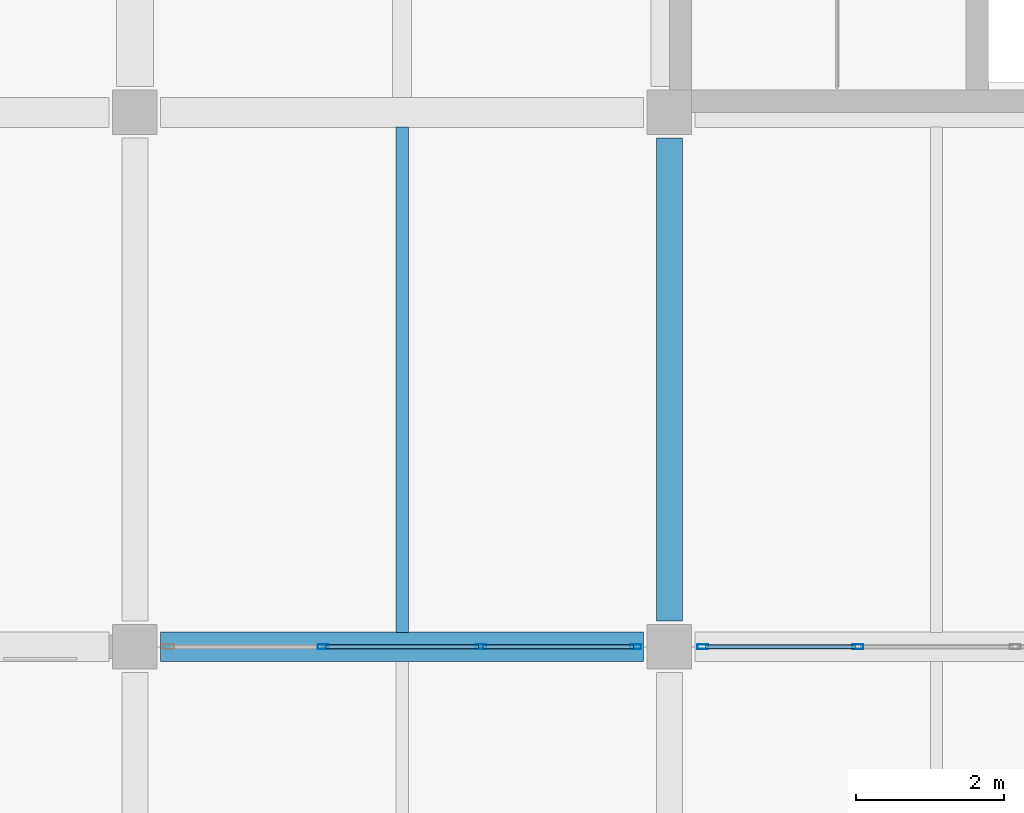
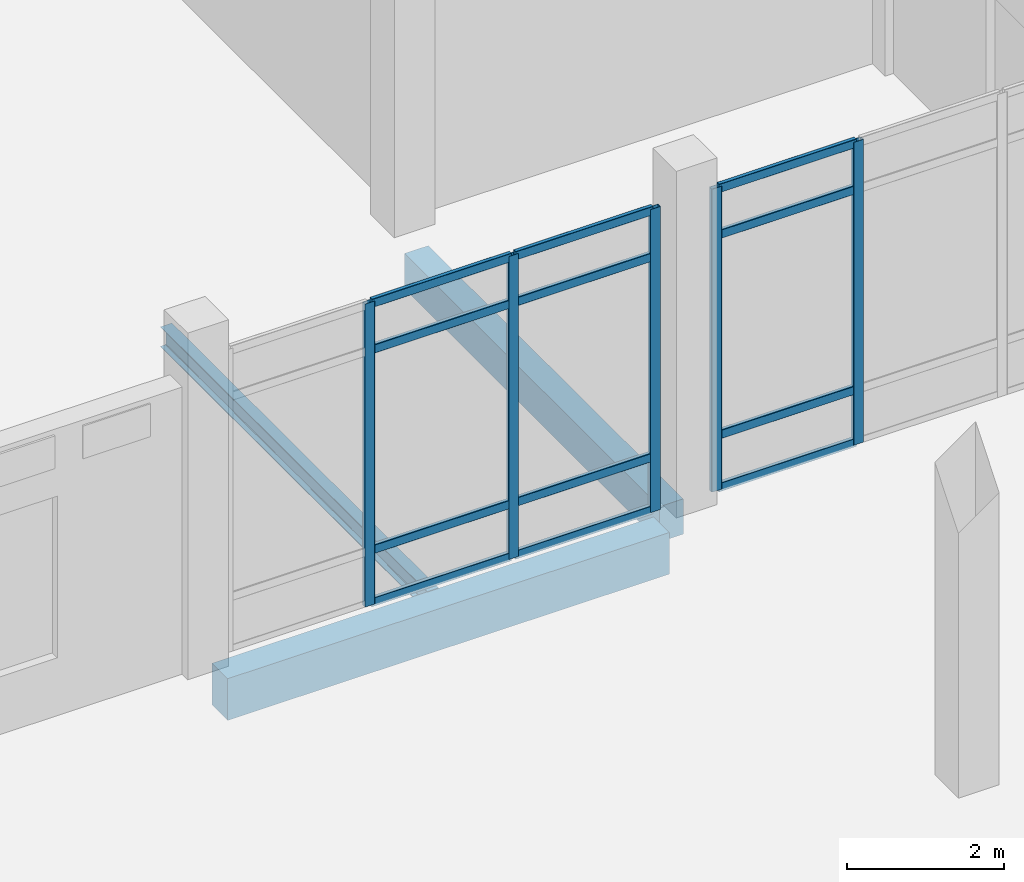
# One storey, part 135 of 180: 17 members, 3 beams, 2 elements without a shape of their own.
"""IFC4 building model written with IfcOpenShell, lengths in metres."""

from ifc_helpers import new_model, si_unit, direction, frame, origin, origin_2d, place, context, subcontext, project, spatial, rectangle, hollow_rectangle, i_section, extrude, material, material_profile, profile_set, type_object, element, aggregate, save


model = new_model("IFC4")

# Units and contexts
model_context = context("Model", 3, precision=1e-05, world=origin(), true_north=direction((0.0, 1.0)))
body_context = subcontext(model_context, "Body", "Model", "MODEL_VIEW")
ifc_project = project(units=[si_unit("LENGTHUNIT", "METRE"), si_unit("AREAUNIT", "SQUARE_METRE"), si_unit("VOLUMEUNIT", "CUBIC_METRE"), si_unit("PLANEANGLEUNIT", "RADIAN"), si_unit("MASSUNIT", "GRAM", prefix="KILO")], contexts=[model_context])

# Site, building, storey
site_placement = place(None, origin())
site = spatial("IfcSite", under=ifc_project, at=site_placement, CompositionType="ELEMENT")
building_placement = place(site_placement, origin())
building = spatial("IfcBuilding", under=site, at=building_placement, Name="Lusvemor Sports Hall", CompositionType="ELEMENT")
storey_placement = place(building_placement, frame((0.0, 0.0, 5.39990234375)))
storey = spatial("IfcBuildingStorey", under=building, at=storey_placement, Name="L01", CompositionType="ELEMENT", Elevation=5.39990234375)

# Beams
ifc_material_1 = material(Name="Concrete C40/50", Category="concrete")
ifc_material_profile_1 = material_profile(ifc_material_1, rectangle(XDim=0.35009765625, YDim=0.550048828125, at=origin_2d()), Name="RC350x550")
ifc_profile_set_1 = profile_set([ifc_material_profile_1], Name="Concrete C40/50")
beam_type_1 = type_object("IfcBeamType", Name="BEAM_RC_550", PredefinedType="BEAM", material=ifc_profile_set_1)
beam_1_placement = place(storey_placement, frame((162.0, 97.5458984375, -0.534912109375), z_axis=(0.0, 1.0, 0.0), x_axis=(-1.0, 0.0, 0.0)))
element("IfcBeam", 1, at=beam_1_placement, inside=storey, type_object=beam_type_1, Name="Beam L01 19:N-P", PredefinedType="BEAM", context=body_context, shape_type="SweptSolid", body=[
    extrude(rectangle(XDim=0.35009765625, YDim=0.550048828125, at=origin_2d()), origin(), (0.0, 0.0, 1.0), 6.508056640625),
])
ifc_material_2 = material(Name="Concrete C40/50", Category="concrete")
ifc_material_profile_2 = material_profile(ifc_material_2, rectangle(XDim=0.39990234375, YDim=0.64990234375, at=origin_2d()), Name="RC400x650")
ifc_profile_set_2 = profile_set([ifc_material_profile_2], Name="Concrete C40/50")
beam_type_2 = type_object("IfcBeamType", Name="BEAM_RC_650", PredefinedType="BEAM", material=ifc_profile_set_2)
beam_2_placement = place(storey_placement, frame((155.14599609375, 97.199951171875, -0.594970703125), z_axis=(1.0, 0.0, 0.0), x_axis=(0.0, 1.0, 0.0)))
element("IfcBeam", 2, at=beam_2_placement, inside=storey, type_object=beam_type_2, Name="Beam L01 N:18-19", PredefinedType="BEAM", context=body_context, shape_type="SweptSolid", body=[
    extrude(rectangle(XDim=0.39990234375, YDim=0.64990234375, at=origin_2d()), origin(), (0.0, 0.0, 1.0), 6.508056640625),
])

# Curtain wall, members
ifc_material_3 = material(Name="Thermally broken bronze-anodized aluminium", Category="aluminium")
curtain_wall_type = type_object("IfcCurtainWallType", Name="CW_WING_B", PredefinedType="NOTDEFINED", material=ifc_material_3)
curtain_wall_1_placement = place(storey_placement, origin())
curtain_wall_1 = element("IfcCurtainWall", 3, at=curtain_wall_1_placement, inside=storey, type_object=curtain_wall_type, Name="Curtain Wall CW-L01-S-3-15", PredefinedType="NOTDEFINED")
ifc_material_4 = material(Name="Thermally broken bronze-anodized aluminium", Category="aluminium")
ifc_material_profile_3 = material_profile(ifc_material_4, hollow_rectangle(XDim=0.06494140625, YDim=0.14990234375, WallThickness=0.00390625, InnerFilletRadius=0.00390625, OuterFilletRadius=0.008056640625, at=origin_2d()), Name="CWMUL150x65x4")
ifc_profile_set_3 = profile_set([ifc_material_profile_3], Name="Thermally broken bronze-anodized aluminium")
member_type_1 = type_object("IfcMemberType", Name="CW_MUL_B", PredefinedType="MULLION", material=ifc_profile_set_3)
member_1_placement = place(storey_placement, frame((161.547607421875, 97.199951171875, 0.0), z_axis=(0.0, 0.0, 1.0), x_axis=(0.0, -1.0, 0.0)))
member_1 = element("IfcMember", 4, at=member_1_placement, type_object=member_type_1, Name="CW02 mullion 1", PredefinedType="MULLION", context=body_context, shape_type="SweptSolid", body=[
    extrude(hollow_rectangle(XDim=0.06494140625, YDim=0.14990234375, WallThickness=0.00390625, InnerFilletRadius=0.00390625, OuterFilletRadius=0.008056640625, at=origin_2d()), origin(), (0.0, 0.0, 1.0), 4.72021484375),
])
member_2_placement = place(storey_placement, frame((159.4599609375, 97.199951171875, 0.0), z_axis=(0.0, 0.0, 1.0), x_axis=(0.0, -1.0, 0.0)))
member_2 = element("IfcMember", 5, at=member_2_placement, type_object=member_type_1, Name="CW02 mullion 2", PredefinedType="MULLION", context=body_context, shape_type="SweptSolid", body=[
    extrude(hollow_rectangle(XDim=0.06494140625, YDim=0.14990234375, WallThickness=0.00390625, InnerFilletRadius=0.00390625, OuterFilletRadius=0.008056640625, at=origin_2d()), origin(), (0.0, 0.0, 1.0), 4.72021484375),
])
member_3_placement = place(storey_placement, frame((157.340087890625, 97.199951171875, 0.0), z_axis=(0.0, 0.0, 1.0), x_axis=(0.0, -1.0, 0.0)))
member_3 = element("IfcMember", 6, at=member_3_placement, type_object=member_type_1, Name="CW02 mullion 3", PredefinedType="MULLION", context=body_context, shape_type="SweptSolid", body=[
    extrude(hollow_rectangle(XDim=0.06494140625, YDim=0.14990234375, WallThickness=0.00390625, InnerFilletRadius=0.00390625, OuterFilletRadius=0.008056640625, at=origin_2d()), origin(), (0.0, 0.0, 1.0), 4.72021484375),
])

curtain_wall_2_placement = place(storey_placement, origin())
curtain_wall_2 = element("IfcCurtainWall", 7, at=curtain_wall_2_placement, inside=storey, type_object=curtain_wall_type, Name="Curtain Wall CW-L01-S-3-16", PredefinedType="NOTDEFINED")
member_4_placement = place(storey_placement, frame((164.5400390625, 97.199951171875, 0.0), z_axis=(0.0, 0.0, 1.0), x_axis=(0.0, -1.0, 0.0)))
member_4 = element("IfcMember", 8, at=member_4_placement, type_object=member_type_1, Name="CW02 mullion 3", PredefinedType="MULLION", context=body_context, shape_type="SweptSolid", body=[
    extrude(hollow_rectangle(XDim=0.06494140625, YDim=0.14990234375, WallThickness=0.00390625, InnerFilletRadius=0.00390625, OuterFilletRadius=0.008056640625, at=origin_2d()), origin(), (0.0, 0.0, 1.0), 4.72021484375),
])
member_5_placement = place(storey_placement, frame((162.452392578125, 97.199951171875, 0.0), z_axis=(0.0, 0.0, 1.0), x_axis=(0.0, -1.0, 0.0)))
member_5 = element("IfcMember", 9, at=member_5_placement, type_object=member_type_1, Name="CW02 mullion 4", PredefinedType="MULLION", context=body_context, shape_type="SweptSolid", body=[
    extrude(hollow_rectangle(XDim=0.06494140625, YDim=0.14990234375, WallThickness=0.00390625, InnerFilletRadius=0.00390625, OuterFilletRadius=0.008056640625, at=origin_2d()), origin(), (0.0, 0.0, 1.0), 4.72021484375),
])

# Member
ifc_material_5 = material(Name="Thermally broken bronze-anodized aluminium", Category="aluminium")
ifc_material_profile_4 = material_profile(ifc_material_5, hollow_rectangle(XDim=0.06005859375, YDim=0.135009765625, WallThickness=0.00390625, InnerFilletRadius=0.00390625, OuterFilletRadius=0.008056640625, at=origin_2d()), Name="CWTRN135x60x4")
ifc_profile_set_4 = profile_set([ifc_material_profile_4], Name="Thermally broken bronze-anodized aluminium")
member_type_2 = type_object("IfcMemberType", Name="CW_TRN_B", PredefinedType="USERDEFINED", material=ifc_profile_set_4)
member_6_placement = place(storey_placement, frame((161.514892578125, 97.199951171875, 0.030029296875), z_axis=(-1.0, 0.0, 0.0), x_axis=(0.0, -1.0, 0.0)))
member_6 = element("IfcMember", 10, at=member_6_placement, type_object=member_type_2, Name="CW02 transom 1.1", ObjectType="TRANSOM", PredefinedType="USERDEFINED", context=body_context, shape_type="SweptSolid", body=[
    extrude(hollow_rectangle(XDim=0.06005859375, YDim=0.135009765625, WallThickness=0.00390625, InnerFilletRadius=0.00390625, OuterFilletRadius=0.008056640625, at=origin_2d()), origin(), (0.0, 0.0, 1.0), 2.0224609375),
])

member_7_placement = place(storey_placement, frame((161.514892578125, 97.199951171875, 0.85009765625), z_axis=(-1.0, 0.0, 0.0), x_axis=(0.0, -1.0, 0.0)))
member_7 = element("IfcMember", 11, at=member_7_placement, type_object=member_type_2, Name="CW02 transom 1.2", ObjectType="TRANSOM", PredefinedType="USERDEFINED", context=body_context, shape_type="SweptSolid", body=[
    extrude(hollow_rectangle(XDim=0.06005859375, YDim=0.135009765625, WallThickness=0.00390625, InnerFilletRadius=0.00390625, OuterFilletRadius=0.008056640625, at=origin_2d()), origin(), (0.0, 0.0, 1.0), 2.0224609375),
])

member_8_placement = place(storey_placement, frame((161.514892578125, 97.199951171875, 3.97021484375), z_axis=(-1.0, 0.0, 0.0), x_axis=(0.0, -1.0, 0.0)))
member_8 = element("IfcMember", 12, at=member_8_placement, type_object=member_type_2, Name="CW02 transom 1.3", ObjectType="TRANSOM", PredefinedType="USERDEFINED", context=body_context, shape_type="SweptSolid", body=[
    extrude(hollow_rectangle(XDim=0.06005859375, YDim=0.135009765625, WallThickness=0.00390625, InnerFilletRadius=0.00390625, OuterFilletRadius=0.008056640625, at=origin_2d()), origin(), (0.0, 0.0, 1.0), 2.0224609375),
])

member_9_placement = place(storey_placement, frame((161.514892578125, 97.199951171875, 4.690185546875), z_axis=(-1.0, 0.0, 0.0), x_axis=(0.0, -1.0, 0.0)))
member_9 = element("IfcMember", 13, at=member_9_placement, type_object=member_type_2, Name="CW02 transom 1.4", ObjectType="TRANSOM", PredefinedType="USERDEFINED", context=body_context, shape_type="SweptSolid", body=[
    extrude(hollow_rectangle(XDim=0.06005859375, YDim=0.135009765625, WallThickness=0.00390625, InnerFilletRadius=0.00390625, OuterFilletRadius=0.008056640625, at=origin_2d()), origin(), (0.0, 0.0, 1.0), 2.0224609375),
])

member_10_placement = place(storey_placement, frame((159.427490234375, 97.199951171875, 0.030029296875), z_axis=(-1.0, 0.0, 0.0), x_axis=(0.0, -1.0, 0.0)))
member_10 = element("IfcMember", 14, at=member_10_placement, type_object=member_type_2, Name="CW02 transom 2.1", ObjectType="TRANSOM", PredefinedType="USERDEFINED", context=body_context, shape_type="SweptSolid", body=[
    extrude(hollow_rectangle(XDim=0.06005859375, YDim=0.135009765625, WallThickness=0.00390625, InnerFilletRadius=0.00390625, OuterFilletRadius=0.008056640625, at=origin_2d()), origin(), (0.0, 0.0, 1.0), 2.054931640625),
])

member_11_placement = place(storey_placement, frame((159.427490234375, 97.199951171875, 0.85009765625), z_axis=(-1.0, 0.0, 0.0), x_axis=(0.0, -1.0, 0.0)))
member_11 = element("IfcMember", 15, at=member_11_placement, type_object=member_type_2, Name="CW02 transom 2.2", ObjectType="TRANSOM", PredefinedType="USERDEFINED", context=body_context, shape_type="SweptSolid", body=[
    extrude(hollow_rectangle(XDim=0.06005859375, YDim=0.135009765625, WallThickness=0.00390625, InnerFilletRadius=0.00390625, OuterFilletRadius=0.008056640625, at=origin_2d()), origin(), (0.0, 0.0, 1.0), 2.054931640625),
])

member_12_placement = place(storey_placement, frame((159.427490234375, 97.199951171875, 3.97021484375), z_axis=(-1.0, 0.0, 0.0), x_axis=(0.0, -1.0, 0.0)))
member_12 = element("IfcMember", 16, at=member_12_placement, type_object=member_type_2, Name="CW02 transom 2.3", ObjectType="TRANSOM", PredefinedType="USERDEFINED", context=body_context, shape_type="SweptSolid", body=[
    extrude(hollow_rectangle(XDim=0.06005859375, YDim=0.135009765625, WallThickness=0.00390625, InnerFilletRadius=0.00390625, OuterFilletRadius=0.008056640625, at=origin_2d()), origin(), (0.0, 0.0, 1.0), 2.054931640625),
])

member_13_placement = place(storey_placement, frame((159.427490234375, 97.199951171875, 4.690185546875), z_axis=(-1.0, 0.0, 0.0), x_axis=(0.0, -1.0, 0.0)))
member_13 = element("IfcMember", 17, at=member_13_placement, type_object=member_type_2, Name="CW02 transom 2.4", ObjectType="TRANSOM", PredefinedType="USERDEFINED", context=body_context, shape_type="SweptSolid", body=[
    extrude(hollow_rectangle(XDim=0.06005859375, YDim=0.135009765625, WallThickness=0.00390625, InnerFilletRadius=0.00390625, OuterFilletRadius=0.008056640625, at=origin_2d()), origin(), (0.0, 0.0, 1.0), 2.054931640625),
])

aggregate(curtain_wall_1, [member_1, member_2, member_3, member_6, member_7, member_8, member_9, member_10, member_11, member_12, member_13])

member_14_placement = place(storey_placement, frame((164.507568359375, 97.199951171875, 0.030029296875), z_axis=(-1.0, 0.0, 0.0), x_axis=(0.0, -1.0, 0.0)))
member_14 = element("IfcMember", 18, at=member_14_placement, type_object=member_type_2, Name="CW02 transom 3.1", ObjectType="TRANSOM", PredefinedType="USERDEFINED", context=body_context, shape_type="SweptSolid", body=[
    extrude(hollow_rectangle(XDim=0.06005859375, YDim=0.135009765625, WallThickness=0.00390625, InnerFilletRadius=0.00390625, OuterFilletRadius=0.008056640625, at=origin_2d()), origin(), (0.0, 0.0, 1.0), 2.0224609375),
])

member_15_placement = place(storey_placement, frame((164.507568359375, 97.199951171875, 0.85009765625), z_axis=(-1.0, 0.0, 0.0), x_axis=(0.0, -1.0, 0.0)))
member_15 = element("IfcMember", 19, at=member_15_placement, type_object=member_type_2, Name="CW02 transom 3.2", ObjectType="TRANSOM", PredefinedType="USERDEFINED", context=body_context, shape_type="SweptSolid", body=[
    extrude(hollow_rectangle(XDim=0.06005859375, YDim=0.135009765625, WallThickness=0.00390625, InnerFilletRadius=0.00390625, OuterFilletRadius=0.008056640625, at=origin_2d()), origin(), (0.0, 0.0, 1.0), 2.0224609375),
])

member_16_placement = place(storey_placement, frame((164.507568359375, 97.199951171875, 3.97021484375), z_axis=(-1.0, 0.0, 0.0), x_axis=(0.0, -1.0, 0.0)))
member_16 = element("IfcMember", 20, at=member_16_placement, type_object=member_type_2, Name="CW02 transom 3.3", ObjectType="TRANSOM", PredefinedType="USERDEFINED", context=body_context, shape_type="SweptSolid", body=[
    extrude(hollow_rectangle(XDim=0.06005859375, YDim=0.135009765625, WallThickness=0.00390625, InnerFilletRadius=0.00390625, OuterFilletRadius=0.008056640625, at=origin_2d()), origin(), (0.0, 0.0, 1.0), 2.0224609375),
])

member_17_placement = place(storey_placement, frame((164.507568359375, 97.199951171875, 4.690185546875), z_axis=(-1.0, 0.0, 0.0), x_axis=(0.0, -1.0, 0.0)))
member_17 = element("IfcMember", 21, at=member_17_placement, type_object=member_type_2, Name="CW02 transom 3.4", ObjectType="TRANSOM", PredefinedType="USERDEFINED", context=body_context, shape_type="SweptSolid", body=[
    extrude(hollow_rectangle(XDim=0.06005859375, YDim=0.135009765625, WallThickness=0.00390625, InnerFilletRadius=0.00390625, OuterFilletRadius=0.008056640625, at=origin_2d()), origin(), (0.0, 0.0, 1.0), 2.0224609375),
])

aggregate(curtain_wall_2, [member_4, member_5, member_14, member_15, member_16, member_17])

# Beam
ifc_material_6 = material(Name="Steel S355", Category="steel")
ifc_material_profile_5 = material_profile(ifc_material_6, i_section(OverallWidth=0.1669921875, OverallDepth=0.31689453125, WebThickness=0.007568359375, FlangeThickness=0.01318359375, FilletRadius=0.014892578125, at=origin_2d()), Name="W310x52.0")
ifc_profile_set_5 = profile_set([ifc_material_profile_5], Name="Steel S355")
beam_type_3 = type_object("IfcBeamType", Name="JOIST_ST_310M", PredefinedType="JOIST", material=ifc_profile_set_5)
beam_3_placement = place(storey_placement, frame((158.39990234375, 97.39599609375, -0.42236328125), z_axis=(0.0, 1.0, 0.0), x_axis=(-1.0, 0.0, 0.0)))
element("IfcBeam", 22, at=beam_3_placement, inside=storey, type_object=beam_type_3, Name="Secondary Joist L01 18-19/N-P #1", PredefinedType="JOIST", context=body_context, shape_type="SweptSolid", body=[
    extrude(i_section(OverallWidth=0.1669921875, OverallDepth=0.31689453125, WebThickness=0.007568359375, FlangeThickness=0.01318359375, FilletRadius=0.014892578125, at=origin_2d()), origin(), (0.0, 0.0, 1.0), 6.80810546875),
])

save(model, "model.ifc")
